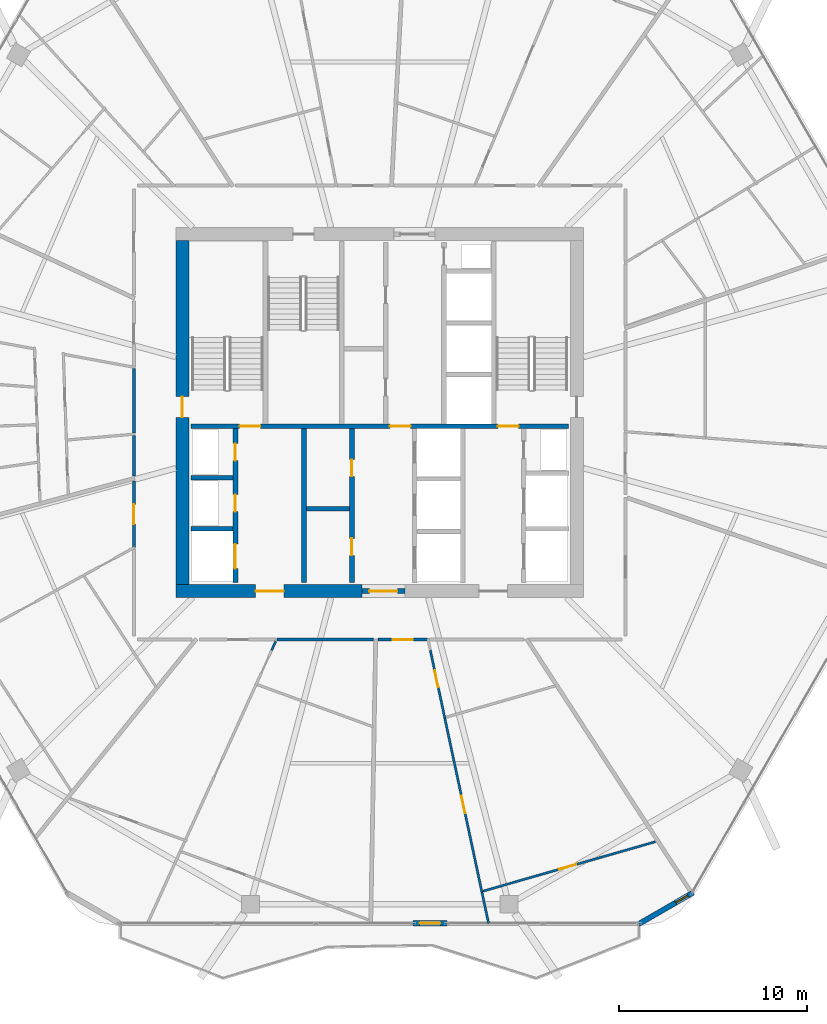
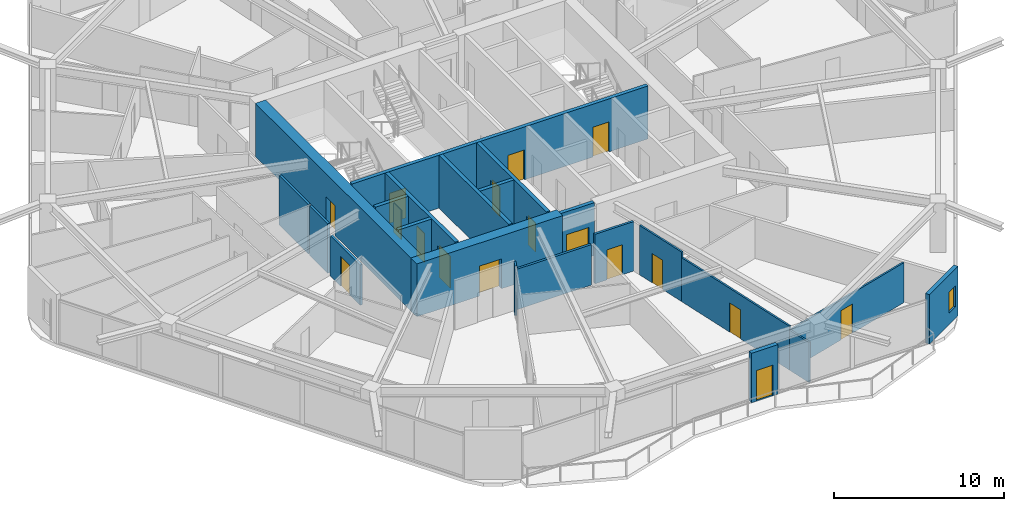
# One storey, part 20 of 27: 22 walls, 17 doors, 1 window, 18 openings.
"""IFC4 building model written with IfcOpenShell, lengths in metres."""

from ifc_helpers import new_model, si_unit, direction, frame, frame_2d, origin, place, context, subcontext, project, spatial, rectangle, extrude, material, layer, layer_set, type_object, element, fill, save


model = new_model("IFC4")

# Units and contexts
model_context = context("Model", 3, precision=1e-05, world=origin(), true_north=direction((0.0, 1.0)))
body_context = subcontext(model_context, "Body", "Model", "MODEL_VIEW")
ifc_project = project(units=[si_unit("LENGTHUNIT", "METRE"), si_unit("AREAUNIT", "SQUARE_METRE"), si_unit("VOLUMEUNIT", "CUBIC_METRE"), si_unit("PLANEANGLEUNIT", "RADIAN"), si_unit("MASSUNIT", "GRAM", prefix="KILO")], contexts=[model_context])

# Site, building, storey
site_placement = place(None, origin())
site = spatial("IfcSite", under=ifc_project, at=site_placement, CompositionType="ELEMENT")
building_placement = place(site_placement, origin())
building = spatial("IfcBuilding", under=site, at=building_placement, Name="Zuhravey Tower", CompositionType="ELEMENT")
storey_placement = place(building_placement, frame((0.0, 0.0, 218.800048828125)))
storey = spatial("IfcBuildingStorey", under=building, at=storey_placement, Name="L55", CompositionType="ELEMENT", Elevation=218.800048828125)

# Wall, opening, door
ifc_material_1 = material(Name="Concrete C60/75", Category="concrete")
ifc_layer_1 = layer(ifc_material_1, 0.699951171875)
ifc_layer_set_1 = layer_set([ifc_layer_1], Name="Concrete C60/75")
wall_type_1 = type_object("IfcWallType", Name="Core Shear Wall 700", PredefinedType="SHEAR", material=ifc_layer_set_1)
wall_1_placement = place(storey_placement, frame((25.14990234375, 22.5, 0.0), z_axis=(0.0, 0.0, 1.0), x_axis=(1.0, 0.0, 0.0)))
wall_1 = element("IfcWall", 1, at=wall_1_placement, inside=storey, type_object=wall_type_1, Name="L55 South-West Core Shear Wall CW70", PredefinedType="SHEAR", context=body_context, shape_type="SweptSolid", body=[
    extrude(rectangle(XDim=9.900146484375, YDim=0.699951171875, at=frame_2d((4.9501953125, 0.0))), origin(), (0.0, 0.0, 1.0), 3.800048828125),
])
opening_1_placement = place(wall_1_placement, frame((4.25, 0.0, 0.0)))
opening_1 = element("IfcOpeningElement", 2, at=opening_1_placement, cuts=wall_1, Name="Opening FFD1", PredefinedType="OPENING", context=body_context, shape_type="SweptSolid", body=[
    extrude(rectangle(XDim=1.5, YDim=2.14990234375, at=frame_2d((0.75, 1.074951171875))), frame((0.0, 0.362060546875, 0.0), z_axis=(0.0, -1.0, 0.0), x_axis=(1.0, 0.0, 0.0)), (0.0, 0.0, 1.0), 0.723876953125),
])
ifc_material_2 = material(Name="Galvanised fire-rated steel leaf", Category="steel")
door_type_1 = type_object("IfcDoorType", Name="Firefighting Lobby Double Door 1500x2150", OperationType="DOUBLE_DOOR_SINGLE_SWING", PredefinedType="DOOR", material=ifc_material_2)
door_1_placement = place(opening_1_placement, origin())
door_1 = element("IfcDoor", 3, at=door_1_placement, inside=storey, type_object=door_type_1, Name="L55 Firefighting Lobby West Door", OperationType="DOUBLE_DOOR_SINGLE_SWING", OverallHeight=2.14990234375, OverallWidth=1.5, PredefinedType="DOOR", context=body_context, shape_type="SweptSolid", body=[
    extrude(rectangle(XDim=1.5, YDim=2.14990234375, at=frame_2d((0.75, 1.074951171875))), frame((0.0, 0.02490234375, 0.0), z_axis=(0.0, -1.0, 0.0), x_axis=(1.0, 0.0, 0.0)), (0.0, 0.0, 1.0), 0.050048828125),
])
fill(opening_1, door_1)

wall_2_placement = place(storey_placement, frame((25.5, 22.85009765625, 0.0), z_axis=(0.0, 0.0, 1.0), x_axis=(0.0, 1.0, 0.0)))
wall_2 = element("IfcWall", 4, at=wall_2_placement, inside=storey, type_object=wall_type_1, Name="L55 West Core Shear Wall CW70", PredefinedType="SHEAR", context=body_context, shape_type="SweptSolid", body=[
    extrude(rectangle(XDim=18.2998046875, YDim=0.699951171875, at=frame_2d((9.14990234375, 0.0))), origin(), (0.0, 0.0, 1.0), 3.800048828125),
])
opening_2_placement = place(wall_2_placement, frame((8.89990234375, 0.0, 0.0)))
opening_2 = element("IfcOpeningElement", 5, at=opening_2_placement, cuts=wall_2, Name="Opening STD1", PredefinedType="OPENING", context=body_context, shape_type="SweptSolid", body=[
    extrude(rectangle(XDim=1.10009765625, YDim=2.14990234375, at=frame_2d((0.550048828125, 1.074951171875))), frame((0.0, 0.362060546875, 0.0), z_axis=(0.0, -1.0, 0.0), x_axis=(1.0, 0.0, 0.0)), (0.0, 0.0, 1.0), 0.723876953125),
])
door_type_2 = type_object("IfcDoorType", Name="Protected Stair Fire Door 1100x2150", OperationType="NOTDEFINED", PredefinedType="USERDEFINED", material=ifc_material_2)
door_2_placement = place(opening_2_placement, frame((1.10009765625, 0.0, 0.0), z_axis=(0.0, 0.0, 1.0), x_axis=(-1.0, 0.0, 0.0)))
door_2 = element("IfcDoor", 6, at=door_2_placement, inside=storey, type_object=door_type_2, Name="L55 Stair ST1 Door", ObjectType="EXITDOOR", OperationType="SINGLE_SWING_LEFT", OverallHeight=2.14990234375, OverallWidth=1.10009765625, PredefinedType="USERDEFINED", context=body_context, shape_type="SweptSolid", body=[
    extrude(rectangle(XDim=1.10009765625, YDim=2.14990234375, at=frame_2d((0.550048828125, 1.074951171875))), frame((0.0, 0.02490234375, 0.0), z_axis=(0.0, -1.0, 0.0), x_axis=(1.0, 0.0, 0.0)), (0.0, 0.0, 1.0), 0.050048828125),
])
fill(opening_2, door_2)

ifc_material_3 = material(Name="Gypsum fire-rated stud partition")
ifc_layer_2 = layer(ifc_material_3, 0.159912109375)
ifc_layer_set_2 = layer_set([ifc_layer_2], Name="Gypsum fire-rated stud partition")
wall_type_2 = type_object("IfcWallType", Name="Corridor Fire Partition 160", PredefinedType="PARTITIONING", material=ifc_layer_set_2)
wall_3_placement = place(storey_placement, frame((22.919921875, 28.351806640625, 0.0), z_axis=(0.0, 0.0, 1.0), x_axis=(0.0, -1.0, 0.0)))
wall_3 = element("IfcWall", 7, at=wall_3_placement, inside=storey, type_object=wall_type_2, Name="L55 IW16 Partition 047", PredefinedType="PARTITIONING", context=body_context, shape_type="SweptSolid", body=[
    extrude(rectangle(XDim=3.519775390625, YDim=0.159912109375, at=frame_2d((1.759765625, 0.0))), origin(), (0.0, 0.0, 1.0), 2.89990234375),
])
opening_3_placement = place(wall_3_placement, frame((1.23486328125, 0.0, 0.0)))
opening_3 = element("IfcOpeningElement", 8, at=opening_3_placement, cuts=wall_3, Name="Opening APD1", PredefinedType="OPENING", context=body_context, shape_type="SweptSolid", body=[
    extrude(rectangle(XDim=1.050048828125, YDim=2.14990234375, at=frame_2d((0.52490234375, 1.074951171875))), frame((0.0, 0.092041015625, 0.0), z_axis=(0.0, -1.0, 0.0), x_axis=(1.0, 0.0, 0.0)), (0.0, 0.0, 1.0), 0.183837890625),
])
ifc_material_4 = material(Name="Solid-core oak fire-rated leaf")
door_type_3 = type_object("IfcDoorType", Name="Apartment Entrance Fire Door 1050x2150", OperationType="NOTDEFINED", PredefinedType="DOOR", material=ifc_material_4)
door_3_placement = place(opening_3_placement, frame((1.050048828125, 0.0, 0.0), z_axis=(0.0, 0.0, 1.0), x_axis=(-1.0, 0.0, 0.0)))
door_3 = element("IfcDoor", 9, at=door_3_placement, inside=storey, type_object=door_type_3, Name="L55 Door 047.1", OperationType="SINGLE_SWING_RIGHT", OverallHeight=2.14990234375, OverallWidth=1.050048828125, PredefinedType="DOOR", context=body_context, shape_type="SweptSolid", body=[
    extrude(rectangle(XDim=1.050048828125, YDim=2.14990234375, at=frame_2d((0.52490234375, 1.074951171875))), frame((0.0, 0.02490234375, 0.0), z_axis=(0.0, -1.0, 0.0), x_axis=(1.0, 0.0, 0.0)), (0.0, 0.0, 1.0), 0.050048828125),
])
fill(opening_3, door_3)

wall_4_placement = place(storey_placement, frame((35.91455078125, 19.919921875, 0.0), z_axis=(0.0, 0.0, 1.0), x_axis=(1.0, 0.0, 0.0)))
wall_4 = element("IfcWall", 10, at=wall_4_placement, inside=storey, type_object=wall_type_2, Name="L55 IW16 Partition 057", PredefinedType="PARTITIONING", context=body_context, shape_type="SweptSolid", body=[
    extrude(rectangle(XDim=2.641357421875, YDim=0.159912109375, at=frame_2d((1.32080078125, 0.0))), origin(), (0.0, 0.0, 1.0), 3.550048828125),
])
opening_4_placement = place(wall_4_placement, frame((0.795654296875, 0.0, 0.0)))
opening_4 = element("IfcOpeningElement", 11, at=opening_4_placement, cuts=wall_4, Name="Opening APD1", PredefinedType="OPENING", context=body_context, shape_type="SweptSolid", body=[
    extrude(rectangle(XDim=1.050048828125, YDim=2.14990234375, at=frame_2d((0.52490234375, 1.074951171875))), frame((0.0, 0.092041015625, 0.0), z_axis=(0.0, -1.0, 0.0), x_axis=(1.0, 0.0, 0.0)), (0.0, 0.0, 1.0), 0.183837890625),
])
door_4_placement = place(opening_4_placement, frame((1.050048828125, 0.0, 0.0), z_axis=(0.0, 0.0, 1.0), x_axis=(-1.0, 0.0, 0.0)))
door_4 = element("IfcDoor", 12, at=door_4_placement, inside=storey, type_object=door_type_3, Name="L55 Door 057.1", OperationType="SINGLE_SWING_LEFT", OverallHeight=2.14990234375, OverallWidth=1.050048828125, PredefinedType="DOOR", context=body_context, shape_type="SweptSolid", body=[
    extrude(rectangle(XDim=1.050048828125, YDim=2.14990234375, at=frame_2d((0.52490234375, 1.074951171875))), frame((0.0, 0.02490234375, 0.0), z_axis=(0.0, -1.0, 0.0), x_axis=(1.0, 0.0, 0.0)), (0.0, 0.0, 1.0), 0.050048828125),
])
fill(opening_4, door_4)

# Walls
wall_5_placement = place(storey_placement, frame((22.919921875, 34.345703125, 0.0), z_axis=(0.0, 0.0, 1.0), x_axis=(0.0, -1.0, 0.0)))
element("IfcWall", 13, at=wall_5_placement, inside=storey, type_object=wall_type_2, Name="L55 IW16 Partition 119", PredefinedType="PARTITIONING", context=body_context, shape_type="SweptSolid", body=[
    extrude(rectangle(XDim=3.42529296875, YDim=0.159912109375, at=frame_2d((1.712646484375, 0.0))), origin(), (0.0, 0.0, 1.0), 3.550048828125),
])
wall_6_placement = place(storey_placement, frame((22.919921875, 30.783935546875, 0.0), z_axis=(0.0, 0.0, 1.0), x_axis=(0.0, -1.0, 0.0)))
element("IfcWall", 14, at=wall_6_placement, inside=storey, type_object=wall_type_2, Name="L55 IW16 Partition 120", PredefinedType="PARTITIONING", context=body_context, shape_type="SweptSolid", body=[
    extrude(rectangle(XDim=2.14599609375, YDim=0.159912109375, at=frame_2d((1.072998046875, 0.0))), origin(), (0.0, 0.0, 1.0), 3.550048828125),
])
wall_7_placement = place(storey_placement, frame((30.531982421875, 19.919921875, 0.0), z_axis=(0.0, 0.0, 1.0), x_axis=(1.0, 0.0, 0.0)))
element("IfcWall", 15, at=wall_7_placement, inside=storey, type_object=wall_type_2, Name="L55 IW16 Partition 123", PredefinedType="PARTITIONING", context=body_context, shape_type="SweptSolid", body=[
    extrude(rectangle(XDim=5.1318359375, YDim=0.159912109375, at=frame_2d((2.56591796875, 0.0))), origin(), (0.0, 0.0, 1.0), 2.89990234375),
])

# Wall, opening, window
ifc_material_5 = material(Name="Precast concrete C40/50", Category="concrete")
ifc_layer_3 = layer(ifc_material_5, 0.280029296875)
ifc_layer_set_3 = layer_set([ifc_layer_3], Name="Precast concrete C40/50")
wall_type_3 = type_object("IfcWallType", Name="Crown Architectural Wall 280", PredefinedType="SOLIDWALL", material=ifc_layer_set_3)
wall_8_placement = place(storey_placement, frame((52.693115234375, 6.451904296875, 0.0), z_axis=(0.0, 0.0, 1.0), x_axis=(-0.866020068361, -0.500009241111, 0.0)))
wall_8 = element("IfcWall", 16, at=wall_8_placement, inside=storey, type_object=wall_type_3, Name="L55 Rounded Corner Closure Wall EW28-02", PredefinedType="SOLIDWALL", context=body_context, shape_type="SweptSolid", body=[
    extrude(rectangle(XDim=3.365234375, YDim=0.280029296875, at=frame_2d((1.6826171875, 0.0))), origin(), (0.0, 0.0, 1.0), 3.550048828125),
])
opening_5_placement = place(wall_8_placement, frame((0.326416015625, 0.0, 0.85009765625)))
opening_5 = element("IfcOpeningElement", 17, at=opening_5_placement, cuts=wall_8, Name="Opening WN5", PredefinedType="OPENING", context=body_context, shape_type="SweptSolid", body=[
    extrude(rectangle(XDim=0.75, YDim=1.5, at=frame_2d((0.375, 0.75))), frame((0.0, 0.152099609375, 0.0), z_axis=(0.0, -1.0, 0.0), x_axis=(1.0, 0.0, 0.0)), (0.0, 0.0, 1.0), 0.303955078125),
])
ifc_material_6 = material(Name="Thermally broken aluminium and triple low-E glass", Category="aluminium")
window_type = type_object("IfcWindowType", Name="Residential Corner Casement Window 750x1500", PartitioningType="SINGLE_PANEL", PredefinedType="WINDOW", material=ifc_material_6)
window_placement = place(opening_5_placement, origin())
window = element("IfcWindow", 18, at=window_placement, inside=storey, type_object=window_type, Name="L55 Corner Casement Window WN5-02.1", OverallHeight=1.5, OverallWidth=0.75, PartitioningType="SINGLE_PANEL", PredefinedType="WINDOW", context=body_context, shape_type="SweptSolid", body=[
    extrude(rectangle(XDim=0.75, YDim=1.5, at=frame_2d((0.375, 0.75))), frame((0.0, 0.030029296875, 0.0), z_axis=(0.0, -1.0, 0.0), x_axis=(1.0, 0.0, 0.0)), (0.0, 0.0, 1.0), 0.06005859375),
])
fill(opening_5, window)

# Wall, opening, door
wall_9_placement = place(storey_placement, frame((39.573486328125, 4.81689453125, 0.0), z_axis=(0.0, 0.0, 1.0), x_axis=(-1.0, 0.0, 0.0)))
wall_9 = element("IfcWall", 19, at=wall_9_placement, inside=storey, type_object=wall_type_3, Name="L55 Face 5 Facade Pier EW28-1", PredefinedType="SOLIDWALL", context=body_context, shape_type="SweptSolid", body=[
    extrude(rectangle(XDim=1.789794921875, YDim=0.280029296875, at=frame_2d((0.89501953125, 0.0))), origin(), (0.0, 0.0, 1.0), 3.550048828125),
])
opening_6_placement = place(wall_9_placement, frame((0.344970703125, 0.0, 0.0)))
opening_6 = element("IfcOpeningElement", 20, at=opening_6_placement, cuts=wall_9, Name="Opening BLD1", PredefinedType="OPENING", context=body_context, shape_type="SweptSolid", body=[
    extrude(rectangle(XDim=1.10009765625, YDim=2.199951171875, at=frame_2d((0.550048828125, 1.10009765625))), frame((0.0, 0.152099609375, 0.0), z_axis=(0.0, -1.0, 0.0), x_axis=(1.0, 0.0, 0.0)), (0.0, 0.0, 1.0), 0.303955078125),
])
ifc_material_7 = material(Name="Thermally broken aluminium and low-E glass", Category="aluminium")
door_type_4 = type_object("IfcDoorType", Name="Balcony & Sky-Tray Glazed Door 1100x2200", OperationType="NOTDEFINED", PredefinedType="DOOR", material=ifc_material_7)
door_5_placement = place(opening_6_placement, frame((1.10009765625, 0.0, 0.0), z_axis=(0.0, 0.0, 1.0), x_axis=(-1.0, 0.0, 0.0)))
door_5 = element("IfcDoor", 21, at=door_5_placement, inside=storey, type_object=door_type_4, Name="L55 Face 5 Wave Balcony Door", OperationType="SINGLE_SWING_LEFT", OverallHeight=2.199951171875, OverallWidth=1.10009765625, PredefinedType="DOOR", context=body_context, shape_type="SweptSolid", body=[
    extrude(rectangle(XDim=1.10009765625, YDim=2.199951171875, at=frame_2d((0.550048828125, 1.10009765625))), frame((0.0, 0.02490234375, 0.0), z_axis=(0.0, -1.0, 0.0), x_axis=(1.0, 0.0, 0.0)), (0.0, 0.0, 1.0), 0.050048828125),
])
fill(opening_6, door_5)

ifc_material_8 = material(Name="Concrete C50/60", Category="concrete")
ifc_layer_4 = layer(ifc_material_8, 0.25)
ifc_layer_set_4 = layer_set([ifc_layer_4], Name="Concrete C50/60")
wall_type_4 = type_object("IfcWallType", Name="Firefighting Shaft & Stair Wall 250", PredefinedType="SOLIDWALL", material=ifc_layer_set_4)
wall_10_placement = place(storey_placement, frame((35.06005859375, 22.5, 0.0), z_axis=(0.0, 0.0, 1.0), x_axis=(1.0, 0.0, 0.0)))
wall_10 = element("IfcWall", 22, at=wall_10_placement, inside=storey, type_object=wall_type_4, Name="L55 FW25 Shaft Wall 001", PredefinedType="SOLIDWALL", context=body_context, shape_type="SweptSolid", body=[
    extrude(rectangle(XDim=2.280029296875, YDim=0.25, at=frame_2d((1.14013671875, 0.0))), origin(), (0.0, 0.0, 1.0), 3.800048828125),
])
opening_7_placement = place(wall_10_placement, frame((0.389892578125, 0.0, 0.0)))
opening_7 = element("IfcOpeningElement", 23, at=opening_7_placement, cuts=wall_10, Name="Opening FFD1", PredefinedType="OPENING", context=body_context, shape_type="SweptSolid", body=[
    extrude(rectangle(XDim=1.5, YDim=2.14990234375, at=frame_2d((0.75, 1.074951171875))), frame((0.0, 0.136962890625, 0.0), z_axis=(0.0, -1.0, 0.0), x_axis=(1.0, 0.0, 0.0)), (0.0, 0.0, 1.0), 0.27392578125),
])
door_6_placement = place(opening_7_placement, frame((1.5, 0.0, 0.0), z_axis=(0.0, 0.0, 1.0), x_axis=(-1.0, 0.0, 0.0)))
door_6 = element("IfcDoor", 24, at=door_6_placement, inside=storey, type_object=door_type_1, Name="L55 South Lift Lobby Exit Door", OperationType="DOUBLE_DOOR_SINGLE_SWING", OverallHeight=2.14990234375, OverallWidth=1.5, PredefinedType="DOOR", context=body_context, shape_type="SweptSolid", body=[
    extrude(rectangle(XDim=1.5, YDim=2.14990234375, at=frame_2d((0.75, 1.074951171875))), frame((0.0, 0.02490234375, 0.0), z_axis=(0.0, -1.0, 0.0), x_axis=(1.0, 0.0, 0.0)), (0.0, 0.0, 1.0), 0.050048828125),
])
fill(opening_7, door_6)

# Wall, openings, doors
wall_11_placement = place(storey_placement, frame((25.949951171875, 31.27490234375, 0.0), z_axis=(0.0, 0.0, 1.0), x_axis=(1.0, 0.0, 0.0)))
wall_11 = element("IfcWall", 25, at=wall_11_placement, inside=storey, type_object=wall_type_4, Name="L55 FW25 Shaft Wall 003", PredefinedType="SOLIDWALL", context=body_context, shape_type="SweptSolid", body=[
    extrude(rectangle(XDim=20.10009765625, YDim=0.25, at=frame_2d((10.050048828125, 0.0))), origin(), (0.0, 0.0, 1.0), 3.800048828125),
])
opening_8_placement = place(wall_11_placement, frame((2.60009765625, 0.0, 0.0)))
opening_8 = element("IfcOpeningElement", 26, at=opening_8_placement, cuts=wall_11, Name="Opening STD1", PredefinedType="OPENING", context=body_context, shape_type="SweptSolid", body=[
    extrude(rectangle(XDim=1.10009765625, YDim=2.14990234375, at=frame_2d((0.550048828125, 1.074951171875))), frame((0.0, 0.136962890625, 0.0), z_axis=(0.0, -1.0, 0.0), x_axis=(1.0, 0.0, 0.0)), (0.0, 0.0, 1.0), 0.27392578125),
])
opening_9_placement = place(wall_11_placement, frame((10.60009765625, 0.0, 0.0)))
opening_9 = element("IfcOpeningElement", 27, at=opening_9_placement, cuts=wall_11, Name="Opening STD1", PredefinedType="OPENING", context=body_context, shape_type="SweptSolid", body=[
    extrude(rectangle(XDim=1.10009765625, YDim=2.14990234375, at=frame_2d((0.550048828125, 1.074951171875))), frame((0.0, 0.136962890625, 0.0), z_axis=(0.0, -1.0, 0.0), x_axis=(1.0, 0.0, 0.0)), (0.0, 0.0, 1.0), 0.27392578125),
])
opening_10_placement = place(wall_11_placement, frame((16.35009765625, 0.0, 0.0)))
opening_10 = element("IfcOpeningElement", 28, at=opening_10_placement, cuts=wall_11, Name="Opening STD1", PredefinedType="OPENING", context=body_context, shape_type="SweptSolid", body=[
    extrude(rectangle(XDim=1.10009765625, YDim=2.14990234375, at=frame_2d((0.550048828125, 1.074951171875))), frame((0.0, 0.136962890625, 0.0), z_axis=(0.0, -1.0, 0.0), x_axis=(1.0, 0.0, 0.0)), (0.0, 0.0, 1.0), 0.27392578125),
])
door_7_placement = place(opening_8_placement, origin())
door_7 = element("IfcDoor", 29, at=door_7_placement, inside=storey, type_object=door_type_2, Name="L55 FFL-W to ST1 Door", ObjectType="EXITDOOR", OperationType="SINGLE_SWING_RIGHT", OverallHeight=2.14990234375, OverallWidth=1.10009765625, PredefinedType="USERDEFINED", context=body_context, shape_type="SweptSolid", body=[
    extrude(rectangle(XDim=1.10009765625, YDim=2.14990234375, at=frame_2d((0.550048828125, 1.074951171875))), frame((0.0, 0.02490234375, 0.0), z_axis=(0.0, -1.0, 0.0), x_axis=(1.0, 0.0, 0.0)), (0.0, 0.0, 1.0), 0.050048828125),
])
fill(opening_8, door_7)
door_8_placement = place(opening_9_placement, origin())
door_8 = element("IfcDoor", 30, at=door_8_placement, inside=storey, type_object=door_type_2, Name="L55 Core Lobby Link Door", ObjectType="EXITDOOR", OperationType="SINGLE_SWING_LEFT", OverallHeight=2.14990234375, OverallWidth=1.10009765625, PredefinedType="USERDEFINED", context=body_context, shape_type="SweptSolid", body=[
    extrude(rectangle(XDim=1.10009765625, YDim=2.14990234375, at=frame_2d((0.550048828125, 1.074951171875))), frame((0.0, 0.02490234375, 0.0), z_axis=(0.0, -1.0, 0.0), x_axis=(1.0, 0.0, 0.0)), (0.0, 0.0, 1.0), 0.050048828125),
])
fill(opening_9, door_8)
door_9_placement = place(opening_10_placement, origin())
door_9 = element("IfcDoor", 31, at=door_9_placement, inside=storey, type_object=door_type_2, Name="L55 FFL-E to ST2 Door", ObjectType="EXITDOOR", OperationType="SINGLE_SWING_RIGHT", OverallHeight=2.14990234375, OverallWidth=1.10009765625, PredefinedType="USERDEFINED", context=body_context, shape_type="SweptSolid", body=[
    extrude(rectangle(XDim=1.10009765625, YDim=2.14990234375, at=frame_2d((0.550048828125, 1.074951171875))), frame((0.0, 0.02490234375, 0.0), z_axis=(0.0, -1.0, 0.0), x_axis=(1.0, 0.0, 0.0)), (0.0, 0.0, 1.0), 0.050048828125),
])
fill(opening_10, door_9)

# Walls
for number, where, z_axis, x_axis, name in (
    (32, (25.949951171875, 25.824951171875, 0.0), (0.0, 0.0, 1.0), (1.0, 0.0, 0.0), "L55 FW25 Shaft Wall 009"),
    (33, (25.949951171875, 28.52490234375, 0.0), (0.0, 0.0, 1.0), (1.0, 0.0, 0.0), "L55 FW25 Shaft Wall 010"),
):
    element("IfcWall", number, at=place(storey_placement, frame(where, z_axis=z_axis, x_axis=x_axis)), inside=storey, type_object=wall_type_4, Name=name, PredefinedType="SOLIDWALL", context=body_context, shape_type="SweptSolid", body=[
        extrude(rectangle(XDim=2.25, YDim=0.25, at=frame_2d((1.125, 0.0))), origin(), (0.0, 0.0, 1.0), 3.800048828125),
    ])

# Wall, openings, doors
wall_12_placement = place(storey_placement, frame((28.324951171875, 22.949951171875, 0.0), z_axis=(0.0, 0.0, 1.0), x_axis=(0.0, 1.0, 0.0)))
wall_12 = element("IfcWall", 34, at=wall_12_placement, inside=storey, type_object=wall_type_4, Name="L55 FW25 Shaft Wall 011", PredefinedType="SOLIDWALL", context=body_context, shape_type="SweptSolid", body=[
    extrude(rectangle(XDim=8.199951171875, YDim=0.25, at=frame_2d((4.10009765625, 0.0))), origin(), (0.0, 0.0, 1.0), 3.800048828125),
])
opening_11_placement = place(wall_12_placement, frame((0.75, 0.0, 0.0)))
opening_11 = element("IfcOpeningElement", 35, at=opening_11_placement, cuts=wall_12, Name="Opening LD2", PredefinedType="OPENING", context=body_context, shape_type="SweptSolid", body=[
    extrude(rectangle(XDim=1.300048828125, YDim=2.300048828125, at=frame_2d((0.64990234375, 1.14990234375))), frame((0.0, 0.136962890625, 0.0), z_axis=(0.0, -1.0, 0.0), x_axis=(1.0, 0.0, 0.0)), (0.0, 0.0, 1.0), 0.27392578125),
])
opening_12_placement = place(wall_12_placement, frame((3.780029296875, 0.0, 0.0)))
opening_12 = element("IfcOpeningElement", 36, at=opening_12_placement, cuts=wall_12, Name="Opening RSD1", PredefinedType="OPENING", context=body_context, shape_type="SweptSolid", body=[
    extrude(rectangle(XDim=0.89990234375, YDim=2.10009765625, at=frame_2d((0.449951171875, 1.050048828125))), frame((0.0, 0.136962890625, 0.0), z_axis=(0.0, -1.0, 0.0), x_axis=(1.0, 0.0, 0.0)), (0.0, 0.0, 1.0), 0.27392578125),
])
opening_13_placement = place(wall_12_placement, frame((6.5, 0.0, 0.0)))
opening_13 = element("IfcOpeningElement", 37, at=opening_13_placement, cuts=wall_12, Name="Opening RSD1", PredefinedType="OPENING", context=body_context, shape_type="SweptSolid", body=[
    extrude(rectangle(XDim=0.89990234375, YDim=2.10009765625, at=frame_2d((0.449951171875, 1.050048828125))), frame((0.0, 0.136962890625, 0.0), z_axis=(0.0, -1.0, 0.0), x_axis=(1.0, 0.0, 0.0)), (0.0, 0.0, 1.0), 0.27392578125),
])
ifc_material_9 = material(Name="Brushed stainless steel", Category="steel")
door_type_5 = type_object("IfcDoorType", Name="Freight & Stretcher Lift Sliding Door 1300x2300", OperationType="DOUBLE_DOOR_SLIDING", PredefinedType="DOOR", material=ifc_material_9)
door_10_placement = place(opening_11_placement, frame((1.300048828125, 0.0, 0.0), z_axis=(0.0, 0.0, 1.0), x_axis=(-1.0, 0.0, 0.0)))
door_10 = element("IfcDoor", 38, at=door_10_placement, inside=storey, type_object=door_type_5, Name="L55 Lift FF1 Landing Door", OperationType="DOUBLE_DOOR_SLIDING", OverallHeight=2.300048828125, OverallWidth=1.300048828125, PredefinedType="DOOR", context=body_context, shape_type="SweptSolid", body=[
    extrude(rectangle(XDim=1.300048828125, YDim=2.300048828125, at=frame_2d((0.64990234375, 1.14990234375))), frame((0.0, 0.02490234375, 0.0), z_axis=(0.0, -1.0, 0.0), x_axis=(1.0, 0.0, 0.0)), (0.0, 0.0, 1.0), 0.050048828125),
])
fill(opening_11, door_10)
ifc_material_10 = material(Name="Galvanised fire-rated steel access leaf", Category="steel")
door_type_6 = type_object("IfcDoorType", Name="Riser & Shaft Access Fire Door 900x2100", OperationType="NOTDEFINED", PredefinedType="DOOR", material=ifc_material_10)
door_11_placement = place(opening_12_placement, frame((0.89990234375, 0.0, 0.0), z_axis=(0.0, 0.0, 1.0), x_axis=(-1.0, 0.0, 0.0)))
door_11 = element("IfcDoor", 39, at=door_11_placement, inside=storey, type_object=door_type_6, Name="L55 Electrical Riser Door", OperationType="SINGLE_SWING_RIGHT", OverallHeight=2.10009765625, OverallWidth=0.89990234375, PredefinedType="DOOR", context=body_context, shape_type="SweptSolid", body=[
    extrude(rectangle(XDim=0.89990234375, YDim=2.10009765625, at=frame_2d((0.449951171875, 1.050048828125))), frame((0.0, 0.02490234375, 0.0), z_axis=(0.0, -1.0, 0.0), x_axis=(1.0, 0.0, 0.0)), (0.0, 0.0, 1.0), 0.050048828125),
])
fill(opening_12, door_11)
door_12_placement = place(opening_13_placement, frame((0.89990234375, 0.0, 0.0), z_axis=(0.0, 0.0, 1.0), x_axis=(-1.0, 0.0, 0.0)))
door_12 = element("IfcDoor", 40, at=door_12_placement, inside=storey, type_object=door_type_6, Name="L55 Smoke Shaft Access Door", OperationType="SINGLE_SWING_LEFT", OverallHeight=2.10009765625, OverallWidth=0.89990234375, PredefinedType="DOOR", context=body_context, shape_type="SweptSolid", body=[
    extrude(rectangle(XDim=0.89990234375, YDim=2.10009765625, at=frame_2d((0.449951171875, 1.050048828125))), frame((0.0, 0.02490234375, 0.0), z_axis=(0.0, -1.0, 0.0), x_axis=(1.0, 0.0, 0.0)), (0.0, 0.0, 1.0), 0.050048828125),
])
fill(opening_13, door_12)

# Walls
wall_13_placement = place(storey_placement, frame((31.97509765625, 22.949951171875, 0.0), z_axis=(0.0, 0.0, 1.0), x_axis=(0.0, 1.0, 0.0)))
element("IfcWall", 41, at=wall_13_placement, inside=storey, type_object=wall_type_4, Name="L55 FW25 Shaft Wall 012", PredefinedType="SOLIDWALL", context=body_context, shape_type="SweptSolid", body=[
    extrude(rectangle(XDim=8.199951171875, YDim=0.25, at=frame_2d((4.10009765625, 0.0))), origin(), (0.0, 0.0, 1.0), 3.800048828125),
])
wall_14_placement = place(storey_placement, frame((32.10009765625, 26.875, 0.0), z_axis=(0.0, 0.0, 1.0), x_axis=(1.0, 0.0, 0.0)))
element("IfcWall", 42, at=wall_14_placement, inside=storey, type_object=wall_type_4, Name="L55 FW25 Shaft Wall 013", PredefinedType="SOLIDWALL", context=body_context, shape_type="SweptSolid", body=[
    extrude(rectangle(XDim=2.2998046875, YDim=0.25, at=frame_2d((1.14990234375, 0.0))), origin(), (0.0, 0.0, 1.0), 3.800048828125),
])

# Wall, openings, doors
wall_15_placement = place(storey_placement, frame((34.52490234375, 22.949951171875, 0.0), z_axis=(0.0, 0.0, 1.0), x_axis=(0.0, 1.0, 0.0)))
wall_15 = element("IfcWall", 43, at=wall_15_placement, inside=storey, type_object=wall_type_4, Name="L55 FW25 Shaft Wall 014", PredefinedType="SOLIDWALL", context=body_context, shape_type="SweptSolid", body=[
    extrude(rectangle(XDim=8.199951171875, YDim=0.25, at=frame_2d((4.10009765625, 0.0))), origin(), (0.0, 0.0, 1.0), 3.800048828125),
])
opening_14_placement = place(wall_15_placement, frame((1.449951171875, 0.0, 0.0)))
opening_14 = element("IfcOpeningElement", 44, at=opening_14_placement, cuts=wall_15, Name="Opening RSD1", PredefinedType="OPENING", context=body_context, shape_type="SweptSolid", body=[
    extrude(rectangle(XDim=0.89990234375, YDim=2.10009765625, at=frame_2d((0.449951171875, 1.050048828125))), frame((0.0, 0.136962890625, 0.0), z_axis=(0.0, -1.0, 0.0), x_axis=(1.0, 0.0, 0.0)), (0.0, 0.0, 1.0), 0.27392578125),
])
opening_15_placement = place(wall_15_placement, frame((5.64990234375, 0.0, 0.0)))
opening_15 = element("IfcOpeningElement", 45, at=opening_15_placement, cuts=wall_15, Name="Opening RSD1", PredefinedType="OPENING", context=body_context, shape_type="SweptSolid", body=[
    extrude(rectangle(XDim=0.89990234375, YDim=2.10009765625, at=frame_2d((0.449951171875, 1.050048828125))), frame((0.0, 0.136962890625, 0.0), z_axis=(0.0, -1.0, 0.0), x_axis=(1.0, 0.0, 0.0)), (0.0, 0.0, 1.0), 0.27392578125),
])
door_13_placement = place(opening_14_placement, origin())
door_13 = element("IfcDoor", 46, at=door_13_placement, inside=storey, type_object=door_type_6, Name="L55 Housekeeping and Linen Room Door", OperationType="SINGLE_SWING_RIGHT", OverallHeight=2.10009765625, OverallWidth=0.89990234375, PredefinedType="DOOR", context=body_context, shape_type="SweptSolid", body=[
    extrude(rectangle(XDim=0.89990234375, YDim=2.10009765625, at=frame_2d((0.449951171875, 1.050048828125))), frame((0.0, 0.02490234375, 0.0), z_axis=(0.0, -1.0, 0.0), x_axis=(1.0, 0.0, 0.0)), (0.0, 0.0, 1.0), 0.050048828125),
])
fill(opening_14, door_13)
door_14_placement = place(opening_15_placement, origin())
door_14 = element("IfcDoor", 47, at=door_14_placement, inside=storey, type_object=door_type_6, Name="L55 Telecoms Switch Closet Door", OperationType="SINGLE_SWING_LEFT", OverallHeight=2.10009765625, OverallWidth=0.89990234375, PredefinedType="DOOR", context=body_context, shape_type="SweptSolid", body=[
    extrude(rectangle(XDim=0.89990234375, YDim=2.10009765625, at=frame_2d((0.449951171875, 1.050048828125))), frame((0.0, 0.02490234375, 0.0), z_axis=(0.0, -1.0, 0.0), x_axis=(1.0, 0.0, 0.0)), (0.0, 0.0, 1.0), 0.050048828125),
])
fill(opening_15, door_14)

# Wall, opening, door
ifc_material_11 = material(Name="Gypsum metal-stud partition")
ifc_layer_5 = layer(ifc_material_11, 0.1201171875)
ifc_layer_set_5 = layer_set([ifc_layer_5], Name="Gypsum metal-stud partition")
wall_type_5 = type_object("IfcWallType", Name="Unit Internal Partition 120", PredefinedType="PARTITIONING", material=ifc_layer_set_5)
wall_16_placement = place(storey_placement, frame((38.697998046875, 19.35009765625, 0.0), z_axis=(0.0, 0.0, 1.0), x_axis=(0.208639315119, -0.97799265651, 0.0)))
wall_16 = element("IfcWall", 48, at=wall_16_placement, inside=storey, type_object=wall_type_5, Name="L55 IW12 Partition 054", PredefinedType="PARTITIONING", context=body_context, shape_type="SweptSolid", body=[
    extrude(rectangle(XDim=3.69189453125, YDim=0.1201171875, at=frame_2d((1.845947265625, 0.0))), origin(), (0.0, 0.0, 1.0), 3.550048828125),
])
opening_16_placement = place(wall_16_placement, frame((1.1005859375, 0.0, 0.0)))
opening_16 = element("IfcOpeningElement", 49, at=opening_16_placement, cuts=wall_16, Name="Opening WCD1", PredefinedType="OPENING", context=body_context, shape_type="SweptSolid", body=[
    extrude(rectangle(XDim=0.89990234375, YDim=2.10009765625, at=frame_2d((0.449951171875, 1.050048828125))), frame((0.0, 0.072021484375, 0.0), z_axis=(0.0, -1.0, 0.0), x_axis=(1.0, 0.0, 0.0)), (0.0, 0.0, 1.0), 0.14404296875),
])
ifc_material_12 = material(Name="Moisture-resistant timber leaf", Category="wood")
door_type_7 = type_object("IfcDoorType", Name="Bathroom & WC Internal Door 900x2100", OperationType="NOTDEFINED", PredefinedType="DOOR", material=ifc_material_12)
door_15_placement = place(opening_16_placement, origin())
door_15 = element("IfcDoor", 50, at=door_15_placement, inside=storey, type_object=door_type_7, Name="Apartment L55-08 Bathroom Door", OperationType="SINGLE_SWING_RIGHT", OverallHeight=2.10009765625, OverallWidth=0.89990234375, PredefinedType="DOOR", context=body_context, shape_type="SweptSolid", body=[
    extrude(rectangle(XDim=0.89990234375, YDim=2.10009765625, at=frame_2d((0.449951171875, 1.050048828125))), frame((0.0, 0.02490234375, 0.0), z_axis=(0.0, -1.0, 0.0), x_axis=(1.0, 0.0, 0.0)), (0.0, 0.0, 1.0), 0.050048828125),
])
fill(opening_16, door_15)

wall_17_placement = place(storey_placement, frame((39.468017578125, 15.739501953125, 0.0), z_axis=(0.0, 0.0, 1.0), x_axis=(0.208609525866, -0.977999011103, 0.0)))
wall_17 = element("IfcWall", 51, at=wall_17_placement, inside=storey, type_object=wall_type_5, Name="L55 IW12 Partition 055", PredefinedType="PARTITIONING", context=body_context, shape_type="SweptSolid", body=[
    extrude(rectangle(XDim=9.465576171875, YDim=0.1201171875, at=frame_2d((4.73291015625, 0.0))), origin(), (0.0, 0.0, 1.0), 3.14990234375),
])
opening_17_placement = place(wall_17_placement, frame((4.23291015625, 0.0, 0.0)))
opening_17 = element("IfcOpeningElement", 52, at=opening_17_placement, cuts=wall_17, Name="Opening IND1", PredefinedType="OPENING", context=body_context, shape_type="SweptSolid", body=[
    extrude(rectangle(XDim=0.949951171875, YDim=2.10009765625, at=frame_2d((0.47509765625, 1.050048828125))), frame((0.0, 0.072021484375, 0.0), z_axis=(0.0, -1.0, 0.0), x_axis=(1.0, 0.0, 0.0)), (0.0, 0.0, 1.0), 0.14404296875),
])
ifc_material_13 = material(Name="Painted engineered timber leaf", Category="wood")
door_type_8 = type_object("IfcDoorType", Name="Internal Room & Bedroom Door 950x2100", OperationType="NOTDEFINED", PredefinedType="DOOR", material=ifc_material_13)
door_16_placement = place(opening_17_placement, origin())
door_16 = element("IfcDoor", 53, at=door_16_placement, inside=storey, type_object=door_type_8, Name="Apartment L55-08 Home Office Door", OperationType="SINGLE_SWING_LEFT", OverallHeight=2.10009765625, OverallWidth=0.949951171875, PredefinedType="DOOR", context=body_context, shape_type="SweptSolid", body=[
    extrude(rectangle(XDim=0.949951171875, YDim=2.10009765625, at=frame_2d((0.47509765625, 1.050048828125))), frame((0.0, 0.02490234375, 0.0), z_axis=(0.0, -1.0, 0.0), x_axis=(1.0, 0.0, 0.0)), (0.0, 0.0, 1.0), 0.050048828125),
])
fill(opening_17, door_16)

wall_18_placement = place(storey_placement, frame((41.5029296875, 6.525390625, 0.0), z_axis=(0.0, 0.0, 1.0), x_axis=(0.961260813995, 0.2756404315, 0.0)))
wall_18 = element("IfcWall", 54, at=wall_18_placement, inside=storey, type_object=wall_type_5, Name="L55 IW12 Partition 056", PredefinedType="PARTITIONING", context=body_context, shape_type="SweptSolid", body=[
    extrude(rectangle(XDim=9.539306640625, YDim=0.1201171875, at=frame_2d((4.76953125, 0.0))), origin(), (0.0, 0.0, 1.0), 2.869873046875),
])
opening_18_placement = place(wall_18_placement, frame((4.21044921875, 0.0, 0.0)))
opening_18 = element("IfcOpeningElement", 55, at=opening_18_placement, cuts=wall_18, Name="Opening IND1", PredefinedType="OPENING", context=body_context, shape_type="SweptSolid", body=[
    extrude(rectangle(XDim=0.949951171875, YDim=2.10009765625, at=frame_2d((0.47509765625, 1.050048828125))), frame((0.0, 0.072021484375, 0.0), z_axis=(0.0, -1.0, 0.0), x_axis=(1.0, 0.0, 0.0)), (0.0, 0.0, 1.0), 0.14404296875),
])
door_17_placement = place(opening_18_placement, frame((0.949951171875, 0.0, 0.0), z_axis=(0.0, 0.0, 1.0), x_axis=(-1.0, 0.0, 0.0)))
door_17 = element("IfcDoor", 56, at=door_17_placement, inside=storey, type_object=door_type_8, Name="Apartment L55-08 Bedroom 1 Door", OperationType="SINGLE_SWING_RIGHT", OverallHeight=2.10009765625, OverallWidth=0.949951171875, PredefinedType="DOOR", context=body_context, shape_type="SweptSolid", body=[
    extrude(rectangle(XDim=0.949951171875, YDim=2.10009765625, at=frame_2d((0.47509765625, 1.050048828125))), frame((0.0, 0.02490234375, 0.0), z_axis=(0.0, -1.0, 0.0), x_axis=(1.0, 0.0, 0.0)), (0.0, 0.0, 1.0), 0.050048828125),
])
fill(opening_18, door_17)

# Walls
wall_19_placement = place(storey_placement, frame((30.47021484375, 19.83203125, 0.0), z_axis=(0.0, 0.0, 1.0), x_axis=(-0.414080857068, -0.910240102286, 0.0)))
element("IfcWall", 57, at=wall_19_placement, inside=storey, type_object=wall_type_5, Name="L55 IW12 Partition 101", PredefinedType="PARTITIONING", context=body_context, shape_type="SweptSolid", body=[
    extrude(rectangle(XDim=0.529541015625, YDim=0.1201171875, at=frame_2d((0.2646484375, 0.0))), origin(), (0.0, 0.0, 1.0), 3.550048828125),
])
wall_20_placement = place(storey_placement, frame((41.442626953125, 6.482177734375, 0.0), z_axis=(0.0, 0.0, 1.0), x_axis=(0.208581952585, -0.978004892143, 0.0)))
element("IfcWall", 58, at=wall_20_placement, inside=storey, type_object=wall_type_5, Name="L55 IW12 Partition 106", PredefinedType="PARTITIONING", context=body_context, shape_type="SweptSolid", body=[
    extrude(rectangle(XDim=1.707763671875, YDim=0.1201171875, at=frame_2d((0.85400390625, 0.0))), origin(), (0.0, 0.0, 1.0), 2.869873046875),
])

save(model, "model.ifc")
